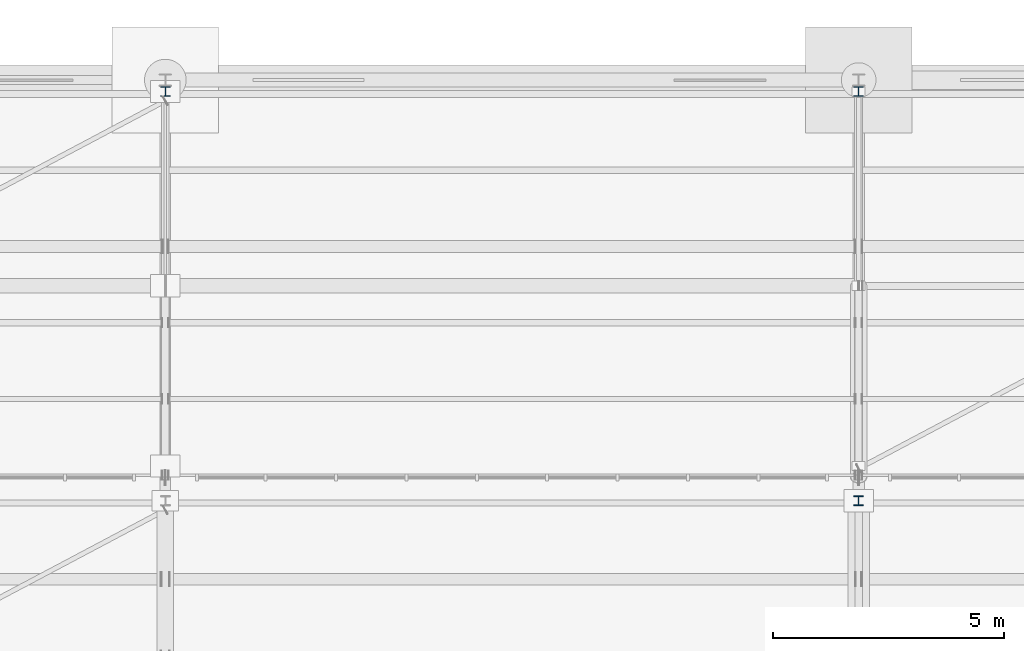
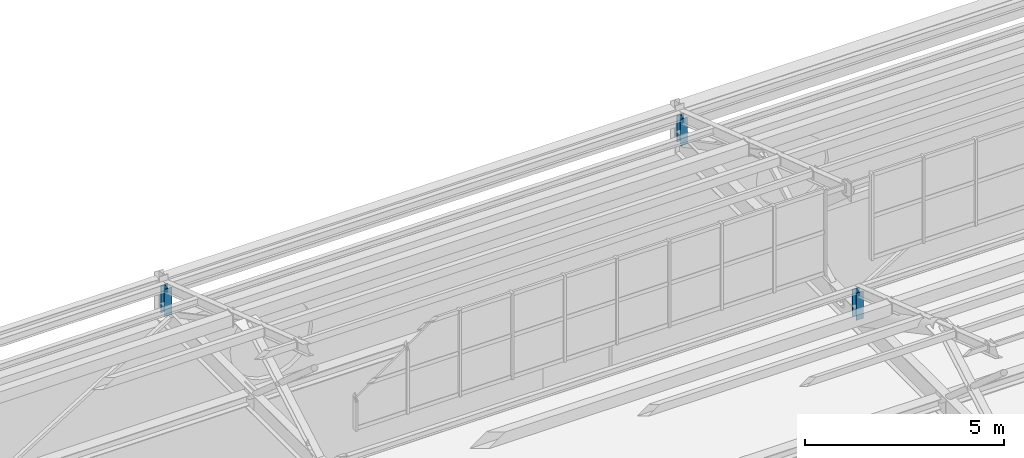
# One storey, part 160 of 285: 3 members.
"""IFC4 building model written with IfcOpenShell, lengths in metres."""

from ifc_helpers import new_model, si_unit, direction, frame, origin, origin_2d, place, context, subcontext, project, spatial, i_section, extrude, material, material_profile, profile_set, type_object, element, save


model = new_model("IFC4")

# Units and contexts
model_context = context("Model", 3, precision=1e-05, world=origin(), true_north=direction((0.0, 1.0)))
body_context = subcontext(model_context, "Body", "Model", "MODEL_VIEW")
ifc_project = project(units=[si_unit("LENGTHUNIT", "METRE"), si_unit("AREAUNIT", "SQUARE_METRE"), si_unit("VOLUMEUNIT", "CUBIC_METRE"), si_unit("PLANEANGLEUNIT", "RADIAN"), si_unit("MASSUNIT", "GRAM", prefix="KILO")], contexts=[model_context])

# Site, building, storey
site_placement = place(None, origin())
site = spatial("IfcSite", under=ifc_project, at=site_placement, CompositionType="ELEMENT")
building_placement = place(site_placement, origin())
building = spatial("IfcBuilding", under=site, at=building_placement, Name="Solanera Park Tramway Depot", CompositionType="ELEMENT")
storey_placement = place(building_placement, origin())
storey = spatial("IfcBuildingStorey", under=building, at=storey_placement, Name="L00", CompositionType="ELEMENT", Elevation=0.0)

# Members
ifc_material = material(Name="Steel AS/NZS 3679.1 Grade 350", Category="steel")
ifc_material_profile = material_profile(ifc_material, i_section(OverallWidth=0.205078125, OverallDepth=0.209716796875, WebThickness=0.00927734375, FlangeThickness=0.01416015625, at=origin_2d()), Name="200UC59.5")
ifc_profile_set = profile_set([ifc_material_profile], Name="Steel AS/NZS 3679.1 Grade 350")
member_type = type_object("IfcMemberType", Name="Roof Gantry Compression Strut 200UC59.5", PredefinedType="STRUT", material=ifc_profile_set)
for number, where, z_axis, x_axis, name in (
    (1, (120.0, 134.89990234375, 6.5), (0.0, 0.0, 1.0), (1.0, 0.0, 0.0), "Sawtooth ROOF TRUSS Valley Post 200UC59.5 #0091"),
    (2, (105.0, 143.75, 6.5), (0.0, 0.0, 1.0), (1.0, 0.0, 0.0), "Sawtooth ROOF TRUSS Valley Post 200UC59.5 #0098"),
):
    element("IfcMember", number, at=place(storey_placement, frame(where, z_axis=z_axis, x_axis=x_axis)), inside=storey, type_object=member_type, Name=name, PredefinedType="STRUT", context=body_context, shape_type="SweptSolid", body=[
        extrude(i_section(OverallWidth=0.205078125, OverallDepth=0.209716796875, WebThickness=0.00927734375, FlangeThickness=0.01416015625, at=origin_2d()), origin(), (0.0, 0.0, 1.0), 0.83740234375),
    ])
member_placement = place(storey_placement, frame((120.0, 143.75, 6.5), z_axis=(0.0, 0.0, 1.0), x_axis=(1.0, 0.0, 0.0)))
element("IfcMember", 3, at=member_placement, inside=storey, type_object=member_type, Name="Sawtooth ROOF TRUSS Valley Post 200UC59.5 #0099", PredefinedType="STRUT", context=body_context, shape_type="SweptSolid", body=[
    extrude(i_section(OverallWidth=0.205078125, OverallDepth=0.209716796875, WebThickness=0.00927734375, FlangeThickness=0.01416015625, at=origin_2d()), origin(), (0.0, 0.0, 1.0), 0.81298828125),
])

save(model, "model.ifc")
